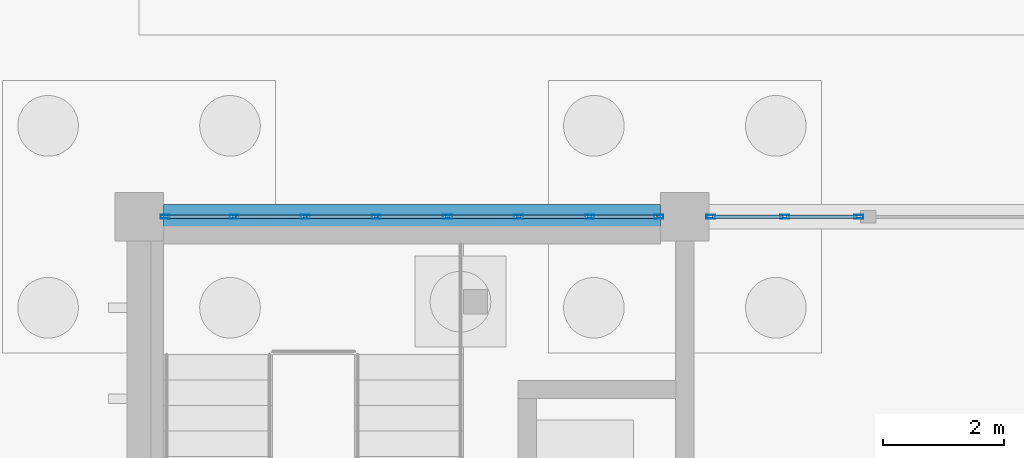
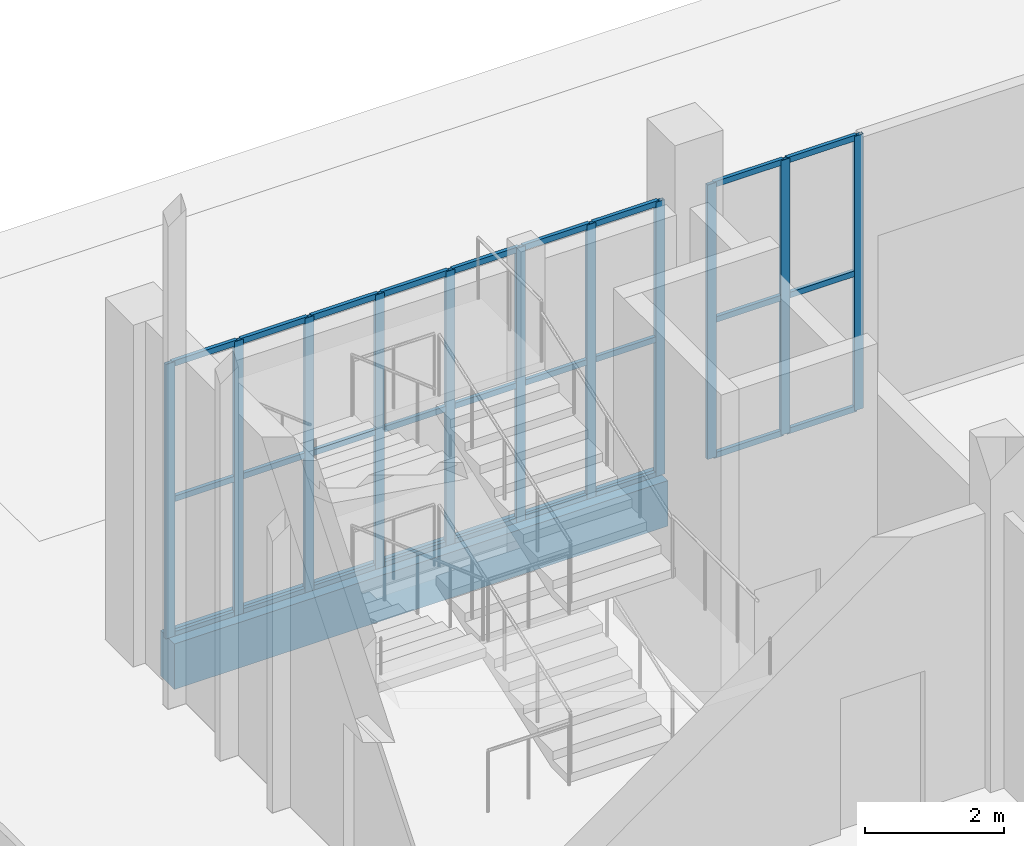
# One storey, part 38 of 198: 38 members, 1 beam, 2 elements without a shape of their own.
"""IFC4 building model written with IfcOpenShell, lengths in metres."""

from ifc_helpers import new_model, si_unit, direction, frame, origin, origin_2d, place, context, subcontext, project, spatial, rectangle, hollow_rectangle, extrude, material, layer, layer_set, material_profile, profile_set, type_object, element, aggregate, save


model = new_model("IFC4")

# Units and contexts
model_context = context("Model", 3, precision=1e-05, world=origin(), true_north=direction((0.0, 1.0)))
body_context = subcontext(model_context, "Body", "Model", "MODEL_VIEW")
ifc_project = project(units=[si_unit("LENGTHUNIT", "METRE"), si_unit("AREAUNIT", "SQUARE_METRE"), si_unit("VOLUMEUNIT", "CUBIC_METRE"), si_unit("PLANEANGLEUNIT", "RADIAN"), si_unit("MASSUNIT", "GRAM", prefix="KILO")], contexts=[model_context])

# Site, building, storey
site_placement = place(None, origin())
site = spatial("IfcSite", under=ifc_project, at=site_placement, CompositionType="ELEMENT")
building_placement = place(site_placement, origin())
building = spatial("IfcBuilding", under=site, at=building_placement, Name="Opaline Strait Convention Centre", CompositionType="ELEMENT")
storey_placement = place(building_placement, origin())
storey = spatial("IfcBuildingStorey", under=building, at=storey_placement, Name="L00", CompositionType="ELEMENT", Elevation=0.0)

# Curtain wall, members
ifc_material_1 = material(Name="Aluminium framed double glazing", Category="aluminium")
ifc_layer = layer(ifc_material_1, 0.199951171875)
ifc_layer_set = layer_set([ifc_layer], Name="Aluminium framed double glazing")
curtain_wall_type = type_object("IfcCurtainWallType", Name="Curtain wall 1250", PredefinedType="NOTDEFINED", material=ifc_layer_set)
curtain_wall_1_placement = place(storey_placement, origin())
curtain_wall_1 = element("IfcCurtainWall", 1, at=curtain_wall_1_placement, inside=storey, type_object=curtain_wall_type, Name="Curtain wall N-9-L00", PredefinedType="NOTDEFINED")
ifc_material_2 = material(Name="Aluminium alloy 6063", Category="aluminium")
ifc_material_profile_1 = material_profile(ifc_material_2, hollow_rectangle(XDim=0.06005859375, YDim=0.14990234375, WallThickness=0.00390625, at=origin_2d()), Name="MULLION 60x150x4")
ifc_profile_set_1 = profile_set([ifc_material_profile_1], Name="Aluminium alloy 6063")
member_type_1 = type_object("IfcMemberType", Name="Curtain wall mullion 60 x 150", PredefinedType="MULLION", material=ifc_profile_set_1)
member_1_placement = place(storey_placement, frame((9.429931640625, 180.0, 0.0), z_axis=(0.0, 0.0, 1.0), x_axis=(0.0, 1.0, 0.0)))
member_1 = element("IfcMember", 2, at=member_1_placement, type_object=member_type_1, Name="PCW mullion 1", PredefinedType="MULLION", context=body_context, shape_type="SweptSolid", body=[
    extrude(hollow_rectangle(XDim=0.06005859375, YDim=0.14990234375, WallThickness=0.00390625, at=origin_2d()), origin(), (0.0, 0.0, 1.0), 4.820068359375),
])
member_2_placement = place(storey_placement, frame((10.5712890625, 180.0, 0.0), z_axis=(0.0, 0.0, 1.0), x_axis=(0.0, 1.0, 0.0)))
member_2 = element("IfcMember", 3, at=member_2_placement, type_object=member_type_1, Name="PCW mullion 2", PredefinedType="MULLION", context=body_context, shape_type="SweptSolid", body=[
    extrude(hollow_rectangle(XDim=0.06005859375, YDim=0.14990234375, WallThickness=0.00390625, at=origin_2d()), origin(), (0.0, 0.0, 1.0), 4.820068359375),
])
member_3_placement = place(storey_placement, frame((11.742919921875, 180.0, 0.0), z_axis=(0.0, 0.0, 1.0), x_axis=(0.0, 1.0, 0.0)))
member_3 = element("IfcMember", 4, at=member_3_placement, type_object=member_type_1, Name="PCW mullion 3", PredefinedType="MULLION", context=body_context, shape_type="SweptSolid", body=[
    extrude(hollow_rectangle(XDim=0.06005859375, YDim=0.14990234375, WallThickness=0.00390625, at=origin_2d()), origin(), (0.0, 0.0, 1.0), 4.820068359375),
])
member_4_placement = place(storey_placement, frame((12.914306640625, 180.0, 0.0), z_axis=(0.0, 0.0, 1.0), x_axis=(0.0, 1.0, 0.0)))
member_4 = element("IfcMember", 5, at=member_4_placement, type_object=member_type_1, Name="PCW mullion 4", PredefinedType="MULLION", context=body_context, shape_type="SweptSolid", body=[
    extrude(hollow_rectangle(XDim=0.06005859375, YDim=0.14990234375, WallThickness=0.00390625, at=origin_2d()), origin(), (0.0, 0.0, 1.0), 4.820068359375),
])
member_5_placement = place(storey_placement, frame((14.085693359375, 180.0, 0.0), z_axis=(0.0, 0.0, 1.0), x_axis=(0.0, 1.0, 0.0)))
member_5 = element("IfcMember", 6, at=member_5_placement, type_object=member_type_1, Name="PCW mullion 5", PredefinedType="MULLION", context=body_context, shape_type="SweptSolid", body=[
    extrude(hollow_rectangle(XDim=0.06005859375, YDim=0.14990234375, WallThickness=0.00390625, at=origin_2d()), origin(), (0.0, 0.0, 1.0), 4.820068359375),
])
member_6_placement = place(storey_placement, frame((15.257080078125, 180.0, 0.0), z_axis=(0.0, 0.0, 1.0), x_axis=(0.0, 1.0, 0.0)))
member_6 = element("IfcMember", 7, at=member_6_placement, type_object=member_type_1, Name="PCW mullion 6", PredefinedType="MULLION", context=body_context, shape_type="SweptSolid", body=[
    extrude(hollow_rectangle(XDim=0.06005859375, YDim=0.14990234375, WallThickness=0.00390625, at=origin_2d()), origin(), (0.0, 0.0, 1.0), 4.820068359375),
])
member_7_placement = place(storey_placement, frame((16.4287109375, 180.0, 0.0), z_axis=(0.0, 0.0, 1.0), x_axis=(0.0, 1.0, 0.0)))
member_7 = element("IfcMember", 8, at=member_7_placement, type_object=member_type_1, Name="PCW mullion 7", PredefinedType="MULLION", context=body_context, shape_type="SweptSolid", body=[
    extrude(hollow_rectangle(XDim=0.06005859375, YDim=0.14990234375, WallThickness=0.00390625, at=origin_2d()), origin(), (0.0, 0.0, 1.0), 4.820068359375),
])
member_8_placement = place(storey_placement, frame((17.570068359375, 180.0, 0.0), z_axis=(0.0, 0.0, 1.0), x_axis=(0.0, 1.0, 0.0)))
member_8 = element("IfcMember", 9, at=member_8_placement, type_object=member_type_1, Name="PCW mullion 8", PredefinedType="MULLION", context=body_context, shape_type="SweptSolid", body=[
    extrude(hollow_rectangle(XDim=0.06005859375, YDim=0.14990234375, WallThickness=0.00390625, at=origin_2d()), origin(), (0.0, 0.0, 1.0), 4.820068359375),
])

curtain_wall_2_placement = place(storey_placement, origin())
curtain_wall_2 = element("IfcCurtainWall", 10, at=curtain_wall_2_placement, inside=storey, type_object=curtain_wall_type, Name="Curtain wall N-18a-L00", PredefinedType="NOTDEFINED")
member_9_placement = place(storey_placement, frame((18.429931640625, 180.0, 0.0), z_axis=(0.0, 0.0, 1.0), x_axis=(0.0, 1.0, 0.0)))
member_9 = element("IfcMember", 11, at=member_9_placement, type_object=member_type_1, Name="PCW mullion 1", PredefinedType="MULLION", context=body_context, shape_type="SweptSolid", body=[
    extrude(hollow_rectangle(XDim=0.06005859375, YDim=0.14990234375, WallThickness=0.00390625, at=origin_2d()), origin(), (0.0, 0.0, 1.0), 4.820068359375),
])
member_10_placement = place(storey_placement, frame((19.64990234375, 180.0, 0.0), z_axis=(0.0, 0.0, 1.0), x_axis=(0.0, 1.0, 0.0)))
member_10 = element("IfcMember", 12, at=member_10_placement, type_object=member_type_1, Name="PCW mullion 2", PredefinedType="MULLION", context=body_context, shape_type="SweptSolid", body=[
    extrude(hollow_rectangle(XDim=0.06005859375, YDim=0.14990234375, WallThickness=0.00390625, at=origin_2d()), origin(), (0.0, 0.0, 1.0), 4.820068359375),
])
member_11_placement = place(storey_placement, frame((20.869873046875, 180.0, 0.0), z_axis=(0.0, 0.0, 1.0), x_axis=(0.0, 1.0, 0.0)))
member_11 = element("IfcMember", 13, at=member_11_placement, type_object=member_type_1, Name="PCW mullion 3", PredefinedType="MULLION", context=body_context, shape_type="SweptSolid", body=[
    extrude(hollow_rectangle(XDim=0.06005859375, YDim=0.14990234375, WallThickness=0.00390625, at=origin_2d()), origin(), (0.0, 0.0, 1.0), 4.820068359375),
])

# Member
ifc_material_profile_2 = material_profile(ifc_material_2, hollow_rectangle(XDim=0.06005859375, YDim=0.10009765625, WallThickness=0.0029296875, at=origin_2d()), Name="TRANSOM 60x100x3")
ifc_profile_set_2 = profile_set([ifc_material_profile_2], Name="Aluminium alloy 6063")
member_type_2 = type_object("IfcMemberType", Name="Curtain wall transom 60 x 100", PredefinedType="USERDEFINED", material=ifc_profile_set_2)
member_12_placement = place(storey_placement, frame((9.4599609375, 180.0, 0.030029296875), z_axis=(1.0, 0.0, 0.0), x_axis=(0.0, 1.0, 0.0)))
member_12 = element("IfcMember", 14, at=member_12_placement, type_object=member_type_2, Name="PCW transom 1.1", ObjectType="TRANSOM", PredefinedType="USERDEFINED", context=body_context, shape_type="SweptSolid", body=[
    extrude(hollow_rectangle(XDim=0.06005859375, YDim=0.10009765625, WallThickness=0.0029296875, at=origin_2d()), origin(), (0.0, 0.0, 1.0), 1.081298828125),
])

member_13_placement = place(storey_placement, frame((9.4599609375, 180.0, 2.409912109375), z_axis=(1.0, 0.0, 0.0), x_axis=(0.0, 1.0, 0.0)))
member_13 = element("IfcMember", 15, at=member_13_placement, type_object=member_type_2, Name="PCW transom 1.2", ObjectType="TRANSOM", PredefinedType="USERDEFINED", context=body_context, shape_type="SweptSolid", body=[
    extrude(hollow_rectangle(XDim=0.06005859375, YDim=0.10009765625, WallThickness=0.0029296875, at=origin_2d()), origin(), (0.0, 0.0, 1.0), 1.081298828125),
])

member_14_placement = place(storey_placement, frame((9.4599609375, 180.0, 4.7900390625), z_axis=(1.0, 0.0, 0.0), x_axis=(0.0, 1.0, 0.0)))
member_14 = element("IfcMember", 16, at=member_14_placement, type_object=member_type_2, Name="PCW transom 1.3", ObjectType="TRANSOM", PredefinedType="USERDEFINED", context=body_context, shape_type="SweptSolid", body=[
    extrude(hollow_rectangle(XDim=0.06005859375, YDim=0.10009765625, WallThickness=0.0029296875, at=origin_2d()), origin(), (0.0, 0.0, 1.0), 1.081298828125),
])

member_15_placement = place(storey_placement, frame((10.601318359375, 180.0, 0.030029296875), z_axis=(1.0, 0.0, 0.0), x_axis=(0.0, 1.0, 0.0)))
member_15 = element("IfcMember", 17, at=member_15_placement, type_object=member_type_2, Name="PCW transom 2.1", ObjectType="TRANSOM", PredefinedType="USERDEFINED", context=body_context, shape_type="SweptSolid", body=[
    extrude(hollow_rectangle(XDim=0.06005859375, YDim=0.10009765625, WallThickness=0.0029296875, at=origin_2d()), origin(), (0.0, 0.0, 1.0), 1.111572265625),
])

member_16_placement = place(storey_placement, frame((10.601318359375, 180.0, 2.409912109375), z_axis=(1.0, 0.0, 0.0), x_axis=(0.0, 1.0, 0.0)))
member_16 = element("IfcMember", 18, at=member_16_placement, type_object=member_type_2, Name="PCW transom 2.2", ObjectType="TRANSOM", PredefinedType="USERDEFINED", context=body_context, shape_type="SweptSolid", body=[
    extrude(hollow_rectangle(XDim=0.06005859375, YDim=0.10009765625, WallThickness=0.0029296875, at=origin_2d()), origin(), (0.0, 0.0, 1.0), 1.111572265625),
])

member_17_placement = place(storey_placement, frame((10.601318359375, 180.0, 4.7900390625), z_axis=(1.0, 0.0, 0.0), x_axis=(0.0, 1.0, 0.0)))
member_17 = element("IfcMember", 19, at=member_17_placement, type_object=member_type_2, Name="PCW transom 2.3", ObjectType="TRANSOM", PredefinedType="USERDEFINED", context=body_context, shape_type="SweptSolid", body=[
    extrude(hollow_rectangle(XDim=0.06005859375, YDim=0.10009765625, WallThickness=0.0029296875, at=origin_2d()), origin(), (0.0, 0.0, 1.0), 1.111572265625),
])

member_18_placement = place(storey_placement, frame((11.772705078125, 180.0, 0.030029296875), z_axis=(1.0, 0.0, 0.0), x_axis=(0.0, 1.0, 0.0)))
member_18 = element("IfcMember", 20, at=member_18_placement, type_object=member_type_2, Name="PCW transom 3.1", ObjectType="TRANSOM", PredefinedType="USERDEFINED", context=body_context, shape_type="SweptSolid", body=[
    extrude(hollow_rectangle(XDim=0.06005859375, YDim=0.10009765625, WallThickness=0.0029296875, at=origin_2d()), origin(), (0.0, 0.0, 1.0), 1.111572265625),
])

member_19_placement = place(storey_placement, frame((11.772705078125, 180.0, 2.409912109375), z_axis=(1.0, 0.0, 0.0), x_axis=(0.0, 1.0, 0.0)))
member_19 = element("IfcMember", 21, at=member_19_placement, type_object=member_type_2, Name="PCW transom 3.2", ObjectType="TRANSOM", PredefinedType="USERDEFINED", context=body_context, shape_type="SweptSolid", body=[
    extrude(hollow_rectangle(XDim=0.06005859375, YDim=0.10009765625, WallThickness=0.0029296875, at=origin_2d()), origin(), (0.0, 0.0, 1.0), 1.111572265625),
])

member_20_placement = place(storey_placement, frame((11.772705078125, 180.0, 4.7900390625), z_axis=(1.0, 0.0, 0.0), x_axis=(0.0, 1.0, 0.0)))
member_20 = element("IfcMember", 22, at=member_20_placement, type_object=member_type_2, Name="PCW transom 3.3", ObjectType="TRANSOM", PredefinedType="USERDEFINED", context=body_context, shape_type="SweptSolid", body=[
    extrude(hollow_rectangle(XDim=0.06005859375, YDim=0.10009765625, WallThickness=0.0029296875, at=origin_2d()), origin(), (0.0, 0.0, 1.0), 1.111572265625),
])

member_21_placement = place(storey_placement, frame((12.9443359375, 180.0, 0.030029296875), z_axis=(1.0, 0.0, 0.0), x_axis=(0.0, 1.0, 0.0)))
member_21 = element("IfcMember", 23, at=member_21_placement, type_object=member_type_2, Name="PCW transom 4.1", ObjectType="TRANSOM", PredefinedType="USERDEFINED", context=body_context, shape_type="SweptSolid", body=[
    extrude(hollow_rectangle(XDim=0.06005859375, YDim=0.10009765625, WallThickness=0.0029296875, at=origin_2d()), origin(), (0.0, 0.0, 1.0), 1.111328125),
])

member_22_placement = place(storey_placement, frame((12.9443359375, 180.0, 2.409912109375), z_axis=(1.0, 0.0, 0.0), x_axis=(0.0, 1.0, 0.0)))
member_22 = element("IfcMember", 24, at=member_22_placement, type_object=member_type_2, Name="PCW transom 4.2", ObjectType="TRANSOM", PredefinedType="USERDEFINED", context=body_context, shape_type="SweptSolid", body=[
    extrude(hollow_rectangle(XDim=0.06005859375, YDim=0.10009765625, WallThickness=0.0029296875, at=origin_2d()), origin(), (0.0, 0.0, 1.0), 1.111328125),
])

member_23_placement = place(storey_placement, frame((12.9443359375, 180.0, 4.7900390625), z_axis=(1.0, 0.0, 0.0), x_axis=(0.0, 1.0, 0.0)))
member_23 = element("IfcMember", 25, at=member_23_placement, type_object=member_type_2, Name="PCW transom 4.3", ObjectType="TRANSOM", PredefinedType="USERDEFINED", context=body_context, shape_type="SweptSolid", body=[
    extrude(hollow_rectangle(XDim=0.06005859375, YDim=0.10009765625, WallThickness=0.0029296875, at=origin_2d()), origin(), (0.0, 0.0, 1.0), 1.111328125),
])

member_24_placement = place(storey_placement, frame((14.11572265625, 180.0, 0.030029296875), z_axis=(1.0, 0.0, 0.0), x_axis=(0.0, 1.0, 0.0)))
member_24 = element("IfcMember", 26, at=member_24_placement, type_object=member_type_2, Name="PCW transom 5.1", ObjectType="TRANSOM", PredefinedType="USERDEFINED", context=body_context, shape_type="SweptSolid", body=[
    extrude(hollow_rectangle(XDim=0.06005859375, YDim=0.10009765625, WallThickness=0.0029296875, at=origin_2d()), origin(), (0.0, 0.0, 1.0), 1.111572265625),
])

member_25_placement = place(storey_placement, frame((14.11572265625, 180.0, 2.409912109375), z_axis=(1.0, 0.0, 0.0), x_axis=(0.0, 1.0, 0.0)))
member_25 = element("IfcMember", 27, at=member_25_placement, type_object=member_type_2, Name="PCW transom 5.2", ObjectType="TRANSOM", PredefinedType="USERDEFINED", context=body_context, shape_type="SweptSolid", body=[
    extrude(hollow_rectangle(XDim=0.06005859375, YDim=0.10009765625, WallThickness=0.0029296875, at=origin_2d()), origin(), (0.0, 0.0, 1.0), 1.111572265625),
])

member_26_placement = place(storey_placement, frame((14.11572265625, 180.0, 4.7900390625), z_axis=(1.0, 0.0, 0.0), x_axis=(0.0, 1.0, 0.0)))
member_26 = element("IfcMember", 28, at=member_26_placement, type_object=member_type_2, Name="PCW transom 5.3", ObjectType="TRANSOM", PredefinedType="USERDEFINED", context=body_context, shape_type="SweptSolid", body=[
    extrude(hollow_rectangle(XDim=0.06005859375, YDim=0.10009765625, WallThickness=0.0029296875, at=origin_2d()), origin(), (0.0, 0.0, 1.0), 1.111572265625),
])

member_27_placement = place(storey_placement, frame((15.287109375, 180.0, 0.030029296875), z_axis=(1.0, 0.0, 0.0), x_axis=(0.0, 1.0, 0.0)))
member_27 = element("IfcMember", 29, at=member_27_placement, type_object=member_type_2, Name="PCW transom 6.1", ObjectType="TRANSOM", PredefinedType="USERDEFINED", context=body_context, shape_type="SweptSolid", body=[
    extrude(hollow_rectangle(XDim=0.06005859375, YDim=0.10009765625, WallThickness=0.0029296875, at=origin_2d()), origin(), (0.0, 0.0, 1.0), 1.111572265625),
])

member_28_placement = place(storey_placement, frame((15.287109375, 180.0, 2.409912109375), z_axis=(1.0, 0.0, 0.0), x_axis=(0.0, 1.0, 0.0)))
member_28 = element("IfcMember", 30, at=member_28_placement, type_object=member_type_2, Name="PCW transom 6.2", ObjectType="TRANSOM", PredefinedType="USERDEFINED", context=body_context, shape_type="SweptSolid", body=[
    extrude(hollow_rectangle(XDim=0.06005859375, YDim=0.10009765625, WallThickness=0.0029296875, at=origin_2d()), origin(), (0.0, 0.0, 1.0), 1.111572265625),
])

member_29_placement = place(storey_placement, frame((15.287109375, 180.0, 4.7900390625), z_axis=(1.0, 0.0, 0.0), x_axis=(0.0, 1.0, 0.0)))
member_29 = element("IfcMember", 31, at=member_29_placement, type_object=member_type_2, Name="PCW transom 6.3", ObjectType="TRANSOM", PredefinedType="USERDEFINED", context=body_context, shape_type="SweptSolid", body=[
    extrude(hollow_rectangle(XDim=0.06005859375, YDim=0.10009765625, WallThickness=0.0029296875, at=origin_2d()), origin(), (0.0, 0.0, 1.0), 1.111572265625),
])

member_30_placement = place(storey_placement, frame((16.458740234375, 180.0, 0.030029296875), z_axis=(1.0, 0.0, 0.0), x_axis=(0.0, 1.0, 0.0)))
member_30 = element("IfcMember", 32, at=member_30_placement, type_object=member_type_2, Name="PCW transom 7.1", ObjectType="TRANSOM", PredefinedType="USERDEFINED", context=body_context, shape_type="SweptSolid", body=[
    extrude(hollow_rectangle(XDim=0.06005859375, YDim=0.10009765625, WallThickness=0.0029296875, at=origin_2d()), origin(), (0.0, 0.0, 1.0), 1.081298828125),
])

member_31_placement = place(storey_placement, frame((16.458740234375, 180.0, 2.409912109375), z_axis=(1.0, 0.0, 0.0), x_axis=(0.0, 1.0, 0.0)))
member_31 = element("IfcMember", 33, at=member_31_placement, type_object=member_type_2, Name="PCW transom 7.2", ObjectType="TRANSOM", PredefinedType="USERDEFINED", context=body_context, shape_type="SweptSolid", body=[
    extrude(hollow_rectangle(XDim=0.06005859375, YDim=0.10009765625, WallThickness=0.0029296875, at=origin_2d()), origin(), (0.0, 0.0, 1.0), 1.081298828125),
])

member_32_placement = place(storey_placement, frame((16.458740234375, 180.0, 4.7900390625), z_axis=(1.0, 0.0, 0.0), x_axis=(0.0, 1.0, 0.0)))
member_32 = element("IfcMember", 34, at=member_32_placement, type_object=member_type_2, Name="PCW transom 7.3", ObjectType="TRANSOM", PredefinedType="USERDEFINED", context=body_context, shape_type="SweptSolid", body=[
    extrude(hollow_rectangle(XDim=0.06005859375, YDim=0.10009765625, WallThickness=0.0029296875, at=origin_2d()), origin(), (0.0, 0.0, 1.0), 1.081298828125),
])

aggregate(curtain_wall_1, [member_1, member_2, member_3, member_4, member_5, member_6, member_7, member_8, member_12, member_13, member_14, member_15, member_16, member_17, member_18, member_19, member_20, member_21, member_22, member_23, member_24, member_25, member_26, member_27, member_28, member_29, member_30, member_31, member_32])

member_33_placement = place(storey_placement, frame((18.4599609375, 180.0, 0.030029296875), z_axis=(1.0, 0.0, 0.0), x_axis=(0.0, 1.0, 0.0)))
member_33 = element("IfcMember", 35, at=member_33_placement, type_object=member_type_2, Name="PCW transom 1.1", ObjectType="TRANSOM", PredefinedType="USERDEFINED", context=body_context, shape_type="SweptSolid", body=[
    extrude(hollow_rectangle(XDim=0.06005859375, YDim=0.10009765625, WallThickness=0.0029296875, at=origin_2d()), origin(), (0.0, 0.0, 1.0), 1.159912109375),
])

member_34_placement = place(storey_placement, frame((18.4599609375, 180.0, 2.409912109375), z_axis=(1.0, 0.0, 0.0), x_axis=(0.0, 1.0, 0.0)))
member_34 = element("IfcMember", 36, at=member_34_placement, type_object=member_type_2, Name="PCW transom 1.2", ObjectType="TRANSOM", PredefinedType="USERDEFINED", context=body_context, shape_type="SweptSolid", body=[
    extrude(hollow_rectangle(XDim=0.06005859375, YDim=0.10009765625, WallThickness=0.0029296875, at=origin_2d()), origin(), (0.0, 0.0, 1.0), 1.159912109375),
])

member_35_placement = place(storey_placement, frame((18.4599609375, 180.0, 4.7900390625), z_axis=(1.0, 0.0, 0.0), x_axis=(0.0, 1.0, 0.0)))
member_35 = element("IfcMember", 37, at=member_35_placement, type_object=member_type_2, Name="PCW transom 1.3", ObjectType="TRANSOM", PredefinedType="USERDEFINED", context=body_context, shape_type="SweptSolid", body=[
    extrude(hollow_rectangle(XDim=0.06005859375, YDim=0.10009765625, WallThickness=0.0029296875, at=origin_2d()), origin(), (0.0, 0.0, 1.0), 1.159912109375),
])

member_36_placement = place(storey_placement, frame((19.679931640625, 180.0, 0.030029296875), z_axis=(1.0, 0.0, 0.0), x_axis=(0.0, 1.0, 0.0)))
member_36 = element("IfcMember", 38, at=member_36_placement, type_object=member_type_2, Name="PCW transom 2.1", ObjectType="TRANSOM", PredefinedType="USERDEFINED", context=body_context, shape_type="SweptSolid", body=[
    extrude(hollow_rectangle(XDim=0.06005859375, YDim=0.10009765625, WallThickness=0.0029296875, at=origin_2d()), origin(), (0.0, 0.0, 1.0), 1.159912109375),
])

member_37_placement = place(storey_placement, frame((19.679931640625, 180.0, 2.409912109375), z_axis=(1.0, 0.0, 0.0), x_axis=(0.0, 1.0, 0.0)))
member_37 = element("IfcMember", 39, at=member_37_placement, type_object=member_type_2, Name="PCW transom 2.2", ObjectType="TRANSOM", PredefinedType="USERDEFINED", context=body_context, shape_type="SweptSolid", body=[
    extrude(hollow_rectangle(XDim=0.06005859375, YDim=0.10009765625, WallThickness=0.0029296875, at=origin_2d()), origin(), (0.0, 0.0, 1.0), 1.159912109375),
])

member_38_placement = place(storey_placement, frame((19.679931640625, 180.0, 4.7900390625), z_axis=(1.0, 0.0, 0.0), x_axis=(0.0, 1.0, 0.0)))
member_38 = element("IfcMember", 40, at=member_38_placement, type_object=member_type_2, Name="PCW transom 2.3", ObjectType="TRANSOM", PredefinedType="USERDEFINED", context=body_context, shape_type="SweptSolid", body=[
    extrude(hollow_rectangle(XDim=0.06005859375, YDim=0.10009765625, WallThickness=0.0029296875, at=origin_2d()), origin(), (0.0, 0.0, 1.0), 1.159912109375),
])

aggregate(curtain_wall_2, [member_9, member_10, member_11, member_33, member_34, member_35, member_36, member_37, member_38])

# Beam
ifc_material_3 = material(Name="Concrete C35", Category="concrete")
ifc_material_profile_3 = material_profile(ifc_material_3, rectangle(XDim=0.39990234375, YDim=0.800048828125, at=origin_2d()), Name="RC 400x800")
ifc_profile_set_3 = profile_set([ifc_material_profile_3], Name="Concrete C35")
beam_type = type_object("IfcBeamType", Name="RC ground beam 400x800 C35", PredefinedType="BEAM", material=ifc_profile_set_3)
beam_placement = place(storey_placement, frame((9.39990234375, 180.0, -0.39990234375), z_axis=(1.0, 0.0, 0.0), x_axis=(0.0, 1.0, 0.0)))
element("IfcBeam", 41, at=beam_placement, inside=storey, type_object=beam_type, Name="PGB1 ground beam 2/W-3/W", PredefinedType="BEAM", context=body_context, shape_type="SweptSolid", body=[
    extrude(rectangle(XDim=0.39990234375, YDim=0.800048828125, at=origin_2d()), origin(), (0.0, 0.0, 1.0), 8.2001953125),
])

save(model, "model.ifc")
